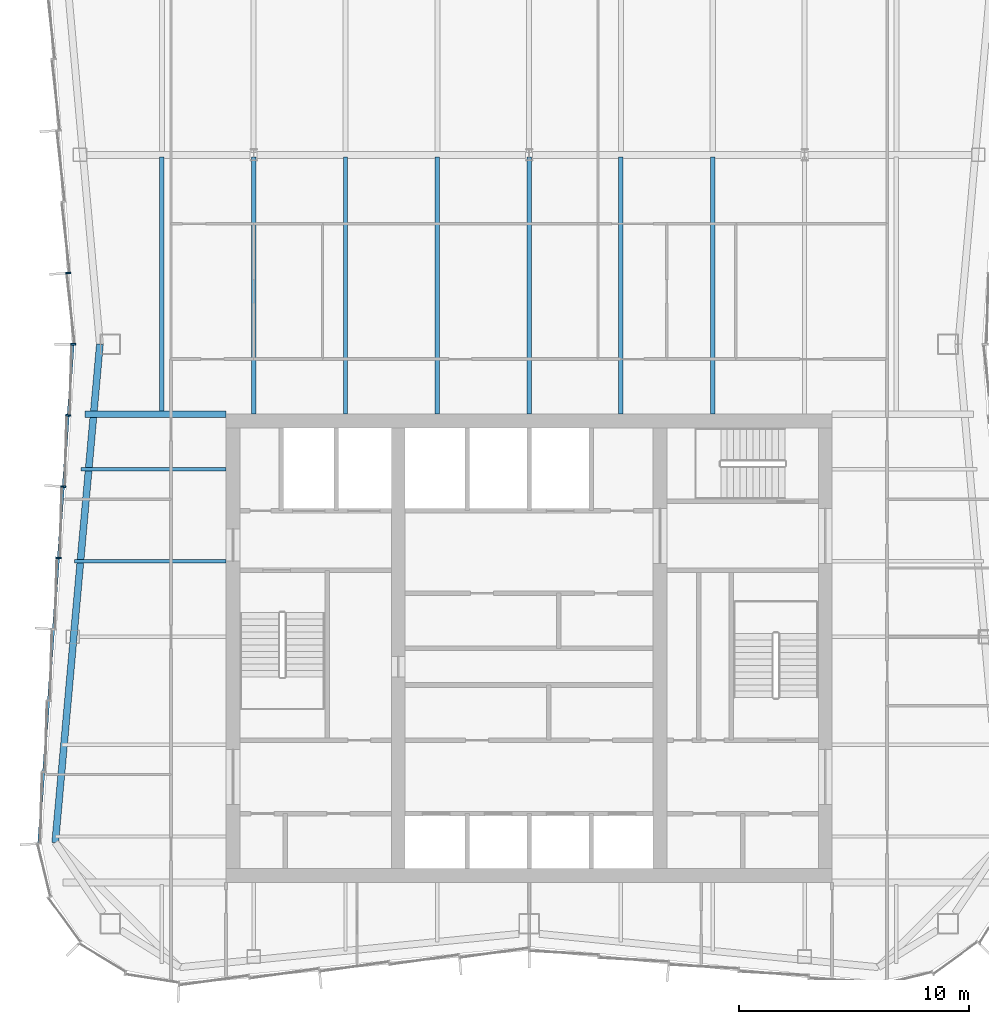
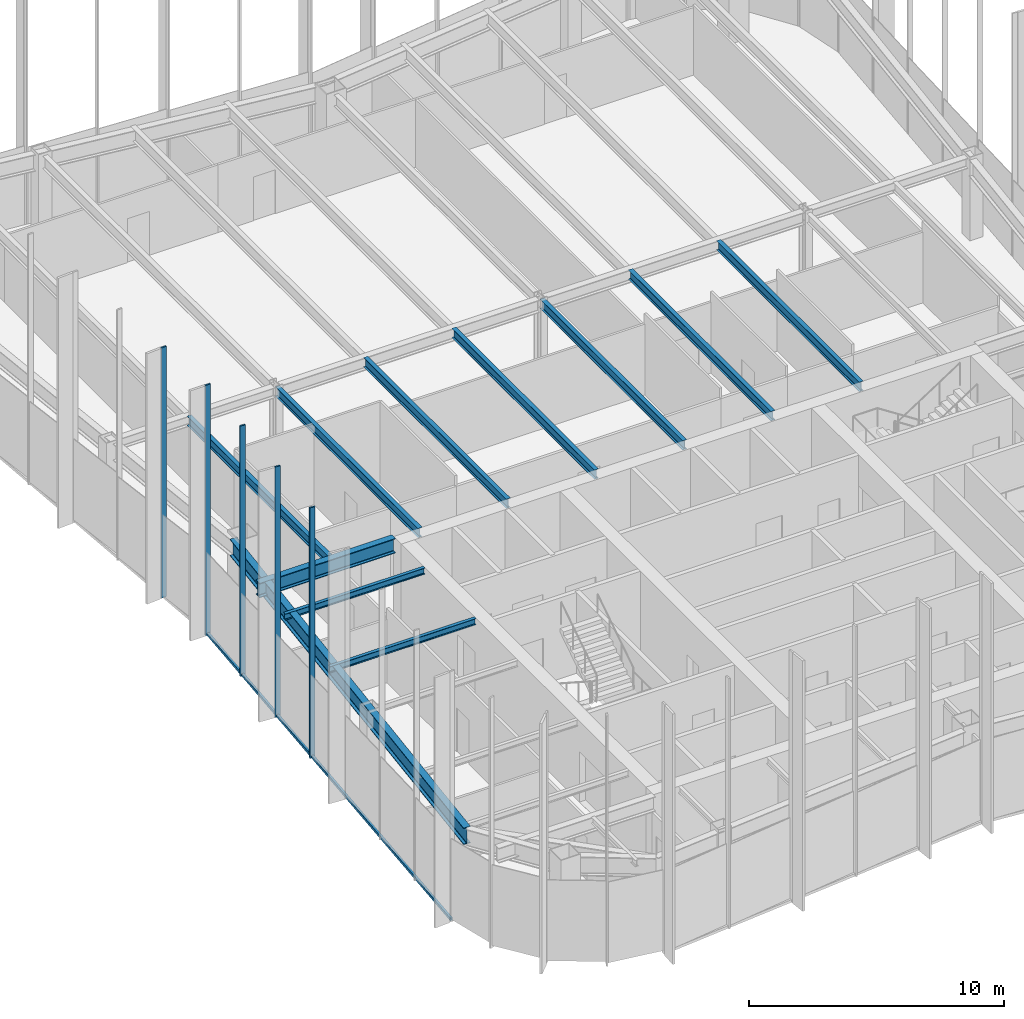
# One storey, part 4 of 13: 11 beams, 6 members, 1 element without a shape of its own.
"""IFC4 building model written with IfcOpenShell, lengths in metres."""

from ifc_helpers import new_model, si_unit, direction, frame, origin, origin_2d, place, context, subcontext, project, spatial, rectangle, i_section, extrude, material, material_profile, profile_set, type_object, element, aggregate, save


model = new_model("IFC4")

# Units and contexts
model_context = context("Model", 3, precision=1e-05, world=origin(), true_north=direction((0.0, 1.0)))
body_context = subcontext(model_context, "Body", "Model", "MODEL_VIEW")
ifc_project = project(units=[si_unit("LENGTHUNIT", "METRE"), si_unit("AREAUNIT", "SQUARE_METRE"), si_unit("VOLUMEUNIT", "CUBIC_METRE"), si_unit("PLANEANGLEUNIT", "RADIAN"), si_unit("MASSUNIT", "GRAM", prefix="KILO")], contexts=[model_context])

# Site, building, storey
site_placement = place(None, origin())
site = spatial("IfcSite", under=ifc_project, at=site_placement, CompositionType="ELEMENT")
building_placement = place(site_placement, origin())
building = spatial("IfcBuilding", under=site, at=building_placement, Name="Verdant Reach Tower", CompositionType="ELEMENT")
storey_placement = place(building_placement, frame((0.0, 0.0, 294.0)))
storey = spatial("IfcBuildingStorey", under=building, at=storey_placement, Name="L67", CompositionType="ELEMENT", Elevation=294.0)

# Curtain wall, members
ifc_material_1 = material(Name="Anodised aluminium", Category="aluminium")
curtain_wall_type = type_object("IfcCurtainWallType", Name="EN-CW SYSTEM Z5", PredefinedType="NOTDEFINED", material=ifc_material_1)
curtain_wall_placement = place(storey_placement, origin())
curtain_wall = element("IfcCurtainWall", 1, at=curtain_wall_placement, inside=storey, type_object=curtain_wall_type, Name="Curtain wall west, L67", PredefinedType="NOTDEFINED")
ifc_material_profile_1 = material_profile(ifc_material_1, rectangle(XDim=0.22998046875, YDim=0.070068359375, at=origin_2d()), Name="Mullion 70x230")
ifc_profile_set_1 = profile_set([ifc_material_profile_1], Name="Anodised aluminium")
member_type_1 = type_object("IfcMemberType", Name="EN-MULLION Z5", PredefinedType="MULLION", material=ifc_profile_set_1)
member_1_placement = place(storey_placement, frame((-20.0791015625, 44.34912109375, -0.35009765625), z_axis=(0.0, 0.0, 1.0), x_axis=(-0.997630328423, -0.068802091615, 0.0)))
member_1 = element("IfcMember", 2, at=member_1_placement, type_object=member_type_1, Name="Mullion west face part 1 7, L67", PredefinedType="MULLION", context=body_context, shape_type="SweptSolid", body=[
    extrude(rectangle(XDim=0.22998046875, YDim=0.070068359375, at=origin_2d()), origin(), (0.0, 0.0, 1.0), 12.0),
])
member_2_placement = place(storey_placement, frame((-19.864990234375, 41.25, -0.35009765625), z_axis=(0.0, 0.0, 1.0), x_axis=(-1.0, 0.0, 0.0)))
member_2 = element("IfcMember", 3, at=member_2_placement, type_object=member_type_1, Name="Mullion west face part 2 1, L67", PredefinedType="MULLION", context=body_context, shape_type="SweptSolid", body=[
    extrude(rectangle(XDim=0.22998046875, YDim=0.070068359375, at=origin_2d()), origin(), (0.0, 0.0, 1.0), 12.0),
])
member_3_placement = place(storey_placement, frame((-20.0791015625, 38.15087890625, -0.35009765625), z_axis=(0.0, 0.0, 1.0), x_axis=(-0.997630328423, 0.068802091615, 0.0)))
member_3 = element("IfcMember", 4, at=member_3_placement, type_object=member_type_1, Name="Mullion west face part 2 2, L67", PredefinedType="MULLION", context=body_context, shape_type="SweptSolid", body=[
    extrude(rectangle(XDim=0.22998046875, YDim=0.070068359375, at=origin_2d()), origin(), (0.0, 0.0, 1.0), 12.0),
])
member_4_placement = place(storey_placement, frame((-20.293212890625, 35.043701171875, -0.35009765625), z_axis=(0.0, 0.0, 1.0), x_axis=(-0.997630328423, 0.068802091615, 0.0)))
member_4 = element("IfcMember", 5, at=member_4_placement, type_object=member_type_1, Name="Mullion west face part 2 3, L67", PredefinedType="MULLION", context=body_context, shape_type="SweptSolid", body=[
    extrude(rectangle(XDim=0.22998046875, YDim=0.070068359375, at=origin_2d()), origin(), (0.0, 0.0, 1.0), 12.0),
])
member_5_placement = place(storey_placement, frame((-20.507568359375, 31.9365234375, -0.35009765625), z_axis=(0.0, 0.0, 1.0), x_axis=(-0.997630328423, 0.068802091615, 0.0)))
member_5 = element("IfcMember", 6, at=member_5_placement, type_object=member_type_1, Name="Mullion west face part 2 4, L67", PredefinedType="MULLION", context=body_context, shape_type="SweptSolid", body=[
    extrude(rectangle(XDim=0.22998046875, YDim=0.070068359375, at=origin_2d()), origin(), (0.0, 0.0, 1.0), 12.0),
])
ifc_material_profile_2 = material_profile(ifc_material_1, rectangle(XDim=0.10009765625, YDim=0.1298828125, at=origin_2d()), Name="Transom 130x100")
ifc_profile_set_2 = profile_set([ifc_material_profile_2], Name="Anodised aluminium")
member_type_2 = type_object("IfcMemberType", Name="EN-TRANSOM Z5", PredefinedType="USERDEFINED", material=ifc_profile_set_2)
member_6_placement = place(storey_placement, frame((-19.867431640625, 41.215087890625, -0.284912109375), z_axis=(-0.068764705107, -0.997632906099, 0.0), x_axis=(0.997632906099, -0.068764705107, 0.0)))
member_6 = element("IfcMember", 7, at=member_6_placement, type_object=member_type_2, Name="Transom west face part 2 1.1, L67", ObjectType="TRANSOM", PredefinedType="USERDEFINED", context=body_context, shape_type="SweptSolid", body=[
    extrude(rectangle(XDim=0.10009765625, YDim=0.1298828125, at=origin_2d()), origin(), (0.0, 0.0, 1.0), 21.739013671875),
])
aggregate(curtain_wall, [member_1, member_2, member_3, member_4, member_5, member_6])

# Beams
ifc_material_2 = material(Name="Steel S355", Category="steel")
ifc_material_profile_3 = material_profile(ifc_material_2, i_section(OverallWidth=0.300048828125, OverallDepth=0.699951171875, WebThickness=0.01708984375, FlangeThickness=0.031982421875, FilletRadius=0.027099609375, at=origin_2d()), Name="HEB 700")
ifc_profile_set_3 = profile_set([ifc_material_profile_3], Name="Steel S355")
beam_type_1 = type_object("IfcBeamType", Name="ST-BEAM-HEB700", PredefinedType="BEAM", material=ifc_profile_set_3)
beam_1_placement = place(storey_placement, frame((-13.199951171875, 38.199951171875, 3.52001953125), z_axis=(-1.0, 0.0, 0.0), x_axis=(0.0, -1.0, 0.0)))
element("IfcBeam", 8, at=beam_1_placement, inside=storey, type_object=beam_type_1, Name="Trimmer beam, L67", PredefinedType="BEAM", context=body_context, shape_type="SweptSolid", body=[
    extrude(i_section(OverallWidth=0.300048828125, OverallDepth=0.699951171875, WebThickness=0.01708984375, FlangeThickness=0.031982421875, FilletRadius=0.027099609375, at=origin_2d()), origin(), (0.0, 0.0, 1.0), 6.158935546875),
])
ifc_material_profile_4 = material_profile(ifc_material_2, i_section(OverallWidth=0.14990234375, OverallDepth=0.300048828125, WebThickness=0.007080078125, FlangeThickness=0.0107421875, FilletRadius=0.014892578125, at=origin_2d()), Name="IPE 300")
ifc_profile_set_4 = profile_set([ifc_material_profile_4], Name="Steel S355")
beam_type_2 = type_object("IfcBeamType", Name="ST-JOIST-IPE300", PredefinedType="JOIST", material=ifc_profile_set_4)
beam_2_placement = place(storey_placement, frame((-13.199951171875, 31.800048828125, 3.719970703125), z_axis=(-1.0, 0.0, 0.0), x_axis=(0.0, -1.0, 0.0)))
element("IfcBeam", 9, at=beam_2_placement, inside=storey, type_object=beam_type_2, Name="Floor joist, L67", PredefinedType="JOIST", context=body_context, shape_type="SweptSolid", body=[
    extrude(i_section(OverallWidth=0.14990234375, OverallDepth=0.300048828125, WebThickness=0.007080078125, FlangeThickness=0.0107421875, FilletRadius=0.014892578125, at=origin_2d()), origin(), (0.0, 0.0, 1.0), 6.600341796875),
])
beam_3_placement = place(storey_placement, frame((-13.199951171875, 35.800048828125, 3.719970703125), z_axis=(-1.0, 0.0, 0.0), x_axis=(0.0, -1.0, 0.0)))
element("IfcBeam", 10, at=beam_3_placement, inside=storey, type_object=beam_type_2, Name="Floor joist, L67", PredefinedType="JOIST", context=body_context, shape_type="SweptSolid", body=[
    extrude(i_section(OverallWidth=0.14990234375, OverallDepth=0.300048828125, WebThickness=0.007080078125, FlangeThickness=0.0107421875, FilletRadius=0.014892578125, at=origin_2d()), origin(), (0.0, 0.0, 1.0), 6.324462890625),
])
ifc_material_profile_5 = material_profile(ifc_material_2, i_section(OverallWidth=0.18994140625, OverallDepth=0.449951171875, WebThickness=0.009521484375, FlangeThickness=0.0146484375, FilletRadius=0.02099609375, at=origin_2d()), Name="IPE 450")
ifc_profile_set_5 = profile_set([ifc_material_profile_5], Name="Steel S355")
beam_type_3 = type_object("IfcBeamType", Name="ST-JOIST-IPE450", PredefinedType="JOIST", material=ifc_profile_set_5)
beam_4_placement = place(storey_placement, frame((-16.0, 38.300048828125, 3.64501953125), z_axis=(0.0, 1.0, 0.0), x_axis=(-1.0, 0.0, 0.0)))
element("IfcBeam", 11, at=beam_4_placement, inside=storey, type_object=beam_type_3, Name="Floor joist, L67", PredefinedType="JOIST", context=body_context, shape_type="SweptSolid", body=[
    extrude(i_section(OverallWidth=0.18994140625, OverallDepth=0.449951171875, WebThickness=0.009521484375, FlangeThickness=0.0146484375, FilletRadius=0.02099609375, at=origin_2d()), origin(), (0.0, 0.0, 1.0), 11.099853515625),
])
for number, where, z_axis, x_axis, name in (
    (12, (-12.0, 38.199951171875, 3.64501953125), (0.0, 1.0, 0.0), (-1.0, 0.0, 0.0), "Floor joist, L67"),
    (13, (-8.0, 38.199951171875, 3.64501953125), (0.0, 1.0, 0.0), (-1.0, 0.0, 0.0), "Floor joist, L67"),
    (14, (-4.0, 38.199951171875, 3.64501953125), (0.0, 1.0, 0.0), (-1.0, 0.0, 0.0), "Floor joist, L67"),
    (15, (0.0, 38.199951171875, 3.64501953125), (0.0, 1.0, 0.0), (-1.0, 0.0, 0.0), "Floor joist, L67"),
    (16, (4.0, 38.199951171875, 3.64501953125), (0.0, 1.0, 0.0), (-1.0, 0.0, 0.0), "Floor joist, L67"),
    (17, (8.0, 38.199951171875, 3.64501953125), (0.0, 1.0, 0.0), (-1.0, 0.0, 0.0), "Floor joist, L67"),
):
    element("IfcBeam", number, at=place(storey_placement, frame(where, z_axis=z_axis, x_axis=x_axis)), inside=storey, type_object=beam_type_3, Name=name, PredefinedType="JOIST", context=body_context, shape_type="SweptSolid", body=[
        extrude(i_section(OverallWidth=0.18994140625, OverallDepth=0.449951171875, WebThickness=0.009521484375, FlangeThickness=0.0146484375, FilletRadius=0.02099609375, at=origin_2d()), origin(), (0.0, 0.0, 1.0), 11.199951171875),
    ])
ifc_material_profile_6 = material_profile(ifc_material_2, i_section(OverallWidth=0.300048828125, OverallDepth=0.800048828125, WebThickness=0.017578125, FlangeThickness=0.032958984375, FilletRadius=0.030029296875, at=origin_2d()), Name="HEB 800")
ifc_profile_set_6 = profile_set([ifc_material_profile_6], Name="Steel S355")
beam_type_4 = type_object("IfcBeamType", Name="ST-SPANDREL-HEB800", PredefinedType="SPANDREL", material=ifc_profile_set_6)
beam_5_placement = place(storey_placement, frame((-20.64599609375, 19.53857421875, 3.469970703125), z_axis=(0.089274399498, 0.996007069048, 0.0), x_axis=(-0.996007069048, 0.089274399498, 0.0)))
element("IfcBeam", 18, at=beam_5_placement, inside=storey, type_object=beam_type_4, Name="Edge beam, L67", PredefinedType="SPANDREL", context=body_context, shape_type="SweptSolid", body=[
    extrude(i_section(OverallWidth=0.300048828125, OverallDepth=0.800048828125, WebThickness=0.017578125, FlangeThickness=0.032958984375, FilletRadius=0.030029296875, at=origin_2d()), origin(), (0.0, 0.0, 1.0), 21.798583984375),
])

save(model, "model.ifc")
